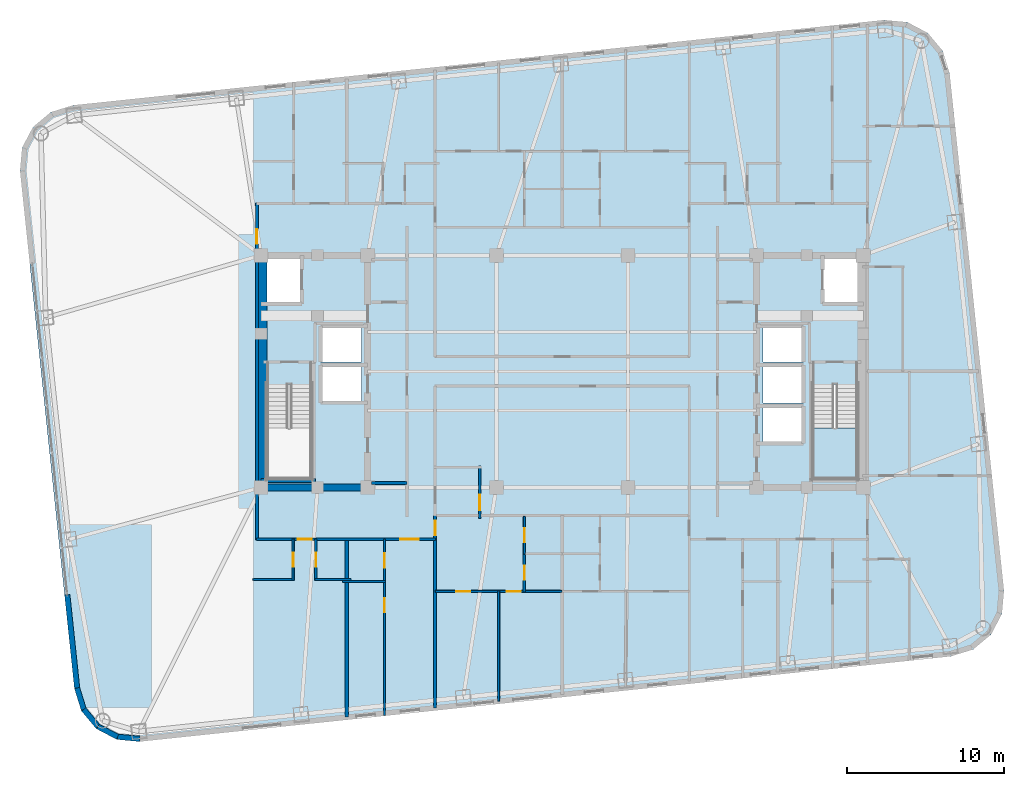
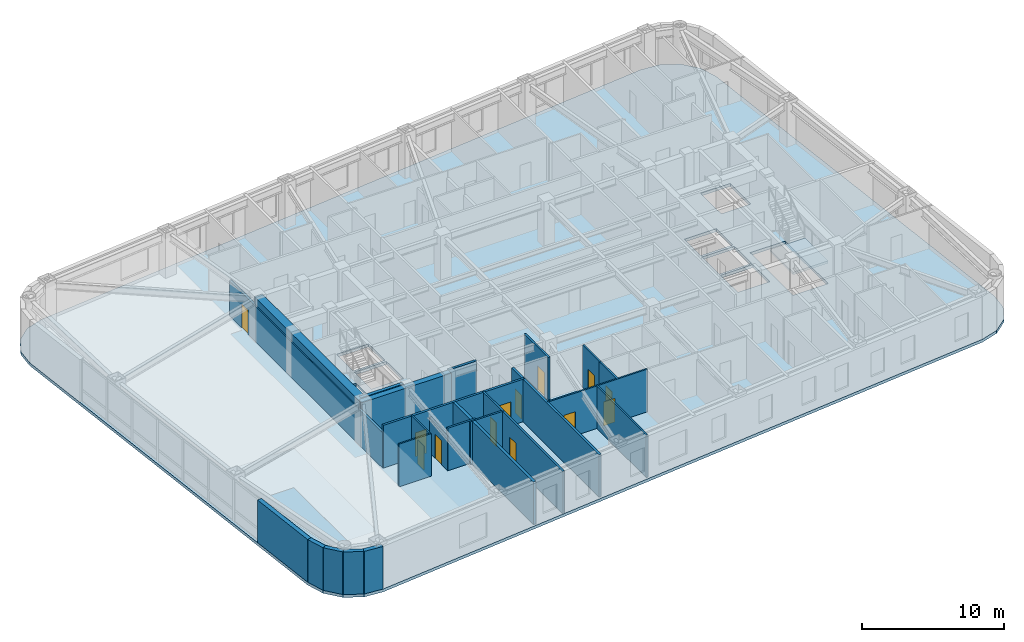
# One storey, part 6 of 15: 25 walls, 13 doors, 2 slabs, 13 openings, 1 element without a shape of its own.
"""IFC4 building model written with IfcOpenShell, lengths in metres."""

from ifc_helpers import new_model, si_unit, direction, frame, frame_2d, origin, place, context, subcontext, project, spatial, polyline, rectangle, outline, extrude, material, layer, layer_set, type_object, element, fill, aggregate, save


model = new_model("IFC4")

# Units and contexts
model_context = context("Model", 3, precision=1e-05, world=origin(), true_north=direction((0.0, 1.0)))
body_context = subcontext(model_context, "Body", "Model", "MODEL_VIEW")
ifc_project = project(units=[si_unit("LENGTHUNIT", "METRE"), si_unit("AREAUNIT", "SQUARE_METRE"), si_unit("VOLUMEUNIT", "CUBIC_METRE"), si_unit("PLANEANGLEUNIT", "RADIAN"), si_unit("MASSUNIT", "GRAM", prefix="KILO")], contexts=[model_context])

# Site, building, storey
site_placement = place(None, origin())
site = spatial("IfcSite", under=ifc_project, at=site_placement, CompositionType="ELEMENT")
building_placement = place(site_placement, origin())
building = spatial("IfcBuilding", under=site, at=building_placement, Name="Voryun Gate Residences", CompositionType="ELEMENT")
storey_placement = place(building_placement, frame((0.0, 0.0, 148.199951171875)))
storey = spatial("IfcBuildingStorey", under=building, at=storey_placement, Name="L36", CompositionType="ELEMENT", Elevation=148.199951171875)

# Slab
ifc_material_1 = material(Name="Concrete C40/50", Category="concrete")
ifc_layer_1 = layer(ifc_material_1, 0.25, Name="SLB_RES_250")
ifc_layer_set_1 = layer_set([ifc_layer_1], Name="Concrete C40/50")
slab_type_1 = type_object("IfcSlabType", Name="SLB_RES_250", PredefinedType="FLOOR", material=ifc_layer_set_1)
slab_1_placement = place(storey_placement, frame((0.0, 0.0, -0.25)))
element("IfcSlab", 1, at=slab_1_placement, inside=storey, type_object=slab_type_1, Name="L36 Structural Floor Slab", PredefinedType="FLOOR", context=body_context, shape_type="SweptSolid", body=[
    extrude(outline(polyline([(-26.92529296875, -23.60595703125), (-28.401611328125, -23.47021484375), (-29.7138671875, -22.780029296875), (-30.661865234375, -21.639892578125), (-31.1015625, -20.22412109375), (-34.572021484375, 12.794189453125), (-34.436279296875, 14.2705078125), (-33.745849609375, 15.582763671875), (-32.60595703125, 16.53076171875), (-31.18994140625, 16.970458984375), (20.525146484375, 22.406005859375), (22.001708984375, 22.270263671875), (23.313720703125, 21.580078125), (24.261962890625, 20.43994140625), (24.70166015625, 19.02392578125), (28.171875, -13.994140625), (28.036376953125, -15.470458984375), (27.345947265625, -16.78271484375), (26.2060546875, -17.730712890625), (24.7900390625, -18.17041015625), (-26.92529296875, -23.60595703125)]), holes=[polyline([(-15.97509765625, -6.85009765625), (-15.97509765625, -0.840087890625), (-18.824951171875, -0.840087890625), (-18.824951171875, -6.85009765625), (-15.97509765625, -6.85009765625)]), polyline([(18.824951171875, -6.85009765625), (18.824951171875, -0.840087890625), (15.97509765625, -0.840087890625), (15.97509765625, -6.85009765625), (18.824951171875, -6.85009765625)]), polyline([(15.39990234375, -2.199951171875), (12.800048828125, -2.199951171875), (12.800048828125, -4.60009765625), (15.39990234375, -4.60009765625), (15.39990234375, -2.199951171875)]), polyline([(-12.800048828125, 0.39990234375), (-15.39990234375, 0.39990234375), (-15.39990234375, -2.0), (-12.800048828125, -2.0), (-12.800048828125, 0.39990234375)]), polyline([(15.39990234375, 0.39990234375), (12.800048828125, 0.39990234375), (12.800048828125, -2.0), (15.39990234375, -2.0), (15.39990234375, 0.39990234375)]), polyline([(-12.800048828125, 2.89990234375), (-15.39990234375, 2.89990234375), (-15.39990234375, 0.60009765625), (-12.800048828125, 0.60009765625), (-12.800048828125, 2.89990234375)]), polyline([(15.39990234375, 2.89990234375), (12.800048828125, 2.89990234375), (12.800048828125, 0.60009765625), (15.39990234375, 0.60009765625), (15.39990234375, 2.89990234375)]), polyline([(-16.60009765625, 4.300048828125), (-16.60009765625, 7.199951171875), (-19.0, 7.199951171875), (-19.0, 4.300048828125), (-16.60009765625, 4.300048828125)]), polyline([(19.0, 4.300048828125), (19.0, 7.199951171875), (16.60009765625, 7.199951171875), (16.60009765625, 4.300048828125), (19.0, 4.300048828125)])]), origin(), (0.0, 0.0, 1.0), 0.25),
])

# Stair, slab
ifc_material_2 = material(Name="Concrete C40/50", Category="concrete")
stair_type = type_object("IfcStairType", Name="STR_CORE_DOGLEG_1350", PredefinedType="HALF_TURN_STAIR", material=ifc_material_2)
stair_placement = place(storey_placement, origin())
stair = element("IfcStair", 2, at=stair_placement, inside=storey, type_object=stair_type, Name="L36 Special Escape Stair ST-E1", PredefinedType="HALF_TURN_STAIR")
ifc_material_3 = material(Name="Concrete C40/50", Category="concrete")
ifc_layer_2 = layer(ifc_material_3, 0.199951171875, Name="SLB_STAIR_LANDING_200")
ifc_layer_set_2 = layer_set([ifc_layer_2], Name="Concrete C40/50")
slab_type_2 = type_object("IfcSlabType", Name="SLB_STAIR_LANDING_200", PredefinedType="LANDING", material=ifc_layer_set_2)
slab_2_placement = place(storey_placement, frame((0.0, 0.0, 1.75)))
slab_2 = element("IfcSlab", 3, at=slab_2_placement, type_object=slab_type_2, Name="ST-E1 landing 1", PredefinedType="LANDING", context=body_context, shape_type="SweptSolid", body=[
    extrude(outline(polyline([(15.97509765625, -3.60009765625), (15.97509765625, -6.85009765625), (18.824951171875, -6.85009765625), (18.824951171875, -3.60009765625), (15.97509765625, -3.60009765625)])), origin(), (0.0, 0.0, 1.0), 0.199951171875),
])
aggregate(stair, [slab_2])

# Walls
ifc_material_4 = material(Name="Concrete C50/60", Category="concrete")
ifc_layer_3 = layer(ifc_material_4, 0.449951171875, Name="CW_CORE_450")
ifc_layer_set_3 = layer_set([ifc_layer_3], Name="Concrete C50/60")
wall_type_1 = type_object("IfcWallType", Name="CW_CORE_450", PredefinedType="SHEAR", material=ifc_layer_set_3)
wall_1_placement = place(storey_placement, frame((-19.425048828125, -7.39990234375, 0.0), z_axis=(0.0, 0.0, 1.0), x_axis=(1.0, 0.0, 0.0)))
element("IfcWall", 4, at=wall_1_placement, inside=storey, type_object=wall_type_1, Name="L36 Core shear wall CW-L36-WS", PredefinedType="SHEAR", context=body_context, shape_type="SweptSolid", body=[
    extrude(rectangle(XDim=7.25, YDim=0.449951171875, at=frame_2d((3.625, 0.0))), origin(), (0.0, 0.0, 1.0), 3.650146484375),
])
ifc_material_5 = material(Name="Concrete C60/75", Category="concrete")
ifc_layer_4 = layer(ifc_material_5, 0.64990234375, Name="CW_CORE_650")
ifc_layer_set_4 = layer_set([ifc_layer_4], Name="Concrete C60/75")
wall_type_2 = type_object("IfcWallType", Name="CW_CORE_650", PredefinedType="SHEAR", material=ifc_layer_set_4)
wall_2_placement = place(storey_placement, frame((-19.14501953125, -7.39990234375, 0.0), z_axis=(0.0, 0.0, 1.0), x_axis=(0.0, 1.0, 0.0)))
element("IfcWall", 5, at=wall_2_placement, inside=storey, type_object=wall_type_2, Name="L36 Core shear wall CW-L36-WW", PredefinedType="SHEAR", context=body_context, shape_type="SweptSolid", body=[
    extrude(rectangle(XDim=14.7998046875, YDim=0.64990234375, at=frame_2d((7.39990234375, 0.0))), origin(), (0.0, 0.0, 1.0), 3.650146484375),
])
ifc_material_6 = material(Name="Gypsum acoustic fireboard")
ifc_layer_5 = layer(ifc_material_6, 0.179931640625, Name="W_CORR_RATED_180")
ifc_layer_set_5 = layer_set([ifc_layer_5], Name="Gypsum acoustic fireboard")
wall_type_3 = type_object("IfcWallType", Name="W_CORR_RATED_180", PredefinedType="PARTITIONING", material=ifc_layer_set_5)
wall_3_placement = place(storey_placement, frame((-12.14990234375, -7.1201171875, 0.0), z_axis=(0.0, 0.0, 1.0), x_axis=(1.0, 0.0, 0.0)))
element("IfcWall", 6, at=wall_3_placement, inside=storey, type_object=wall_type_3, Name="Partition wall WP-L36-PLBS-W", PredefinedType="PARTITIONING", context=body_context, shape_type="SweptSolid", body=[
    extrude(rectangle(XDim=2.27001953125, YDim=0.179931640625, at=frame_2d((1.135009765625, 0.0))), origin(), (0.0, 0.0, 1.0), 3.650146484375),
])

# Wall, openings, doors
wall_4_placement = place(storey_placement, frame((-19.5, -10.699951171875, 0.0), z_axis=(0.0, 0.0, 1.0), x_axis=(1.0, 0.0, 0.0)))
wall_4 = element("IfcWall", 7, at=wall_4_placement, inside=storey, type_object=wall_type_3, Name="Partition wall WP-L36-SCORR-W", PredefinedType="PARTITIONING", context=body_context, shape_type="SweptSolid", body=[
    extrude(rectangle(XDim=11.419921875, YDim=0.179931640625, at=frame_2d((5.7099609375, 0.0))), origin(), (0.0, 0.0, 1.0), 3.650146484375),
])
opening_1_placement = place(wall_4_placement, frame((2.623046875, 0.0, 0.0)))
opening_1 = element("IfcOpeningElement", 8, at=opening_1_placement, cuts=wall_4, Name="Opening D-INT-2", PredefinedType="OPENING", context=body_context, shape_type="SweptSolid", body=[
    extrude(rectangle(XDim=0.89990234375, YDim=2.050048828125, at=frame_2d((0.449951171875, 1.02490234375))), frame((0.0, 0.099853515625, 0.0), z_axis=(0.0, -1.0, 0.0), x_axis=(1.0, 0.0, 0.0)), (0.0, 0.0, 1.0), 0.199951171875),
])
opening_2_placement = place(wall_4_placement, frame((9.189208984375, 0.0, 0.0)))
opening_2 = element("IfcOpeningElement", 9, at=opening_2_placement, cuts=wall_4, Name="Opening D-UNIT-1", PredefinedType="OPENING", context=body_context, shape_type="SweptSolid", body=[
    extrude(rectangle(XDim=1.14990234375, YDim=2.050048828125, at=frame_2d((0.574951171875, 1.02490234375))), frame((0.0, 0.099853515625, 0.0), z_axis=(0.0, -1.0, 0.0), x_axis=(1.0, 0.0, 0.0)), (0.0, 0.0, 1.0), 0.199951171875),
])
ifc_material_7 = material(Name="Architectural oak veneer")
door_type_1 = type_object("IfcDoorType", Name="DR_INT_BATH_900", OperationType="NOTDEFINED", PredefinedType="DOOR", material=ifc_material_7)
door_1_placement = place(opening_1_placement, origin())
door_1 = element("IfcDoor", 10, at=door_1_placement, inside=storey, type_object=door_type_1, Name="Door DR-L36-SENT-1", OperationType="SINGLE_SWING_RIGHT", OverallHeight=2.050048828125, OverallWidth=0.89990234375, PredefinedType="DOOR", context=body_context, shape_type="SweptSolid", body=[
    extrude(rectangle(XDim=0.89990234375, YDim=2.050048828125, at=frame_2d((0.449951171875, 1.02490234375))), frame((0.0, 0.02490234375, 0.0), z_axis=(0.0, -1.0, 0.0), x_axis=(1.0, 0.0, 0.0)), (0.0, 0.0, 1.0), 0.050048828125),
])
fill(opening_1, door_1)
ifc_material_8 = material(Name="Armoured timber-clad fire door", Category="wood")
door_type_2 = type_object("IfcDoorType", Name="DR_UNIT_ENTRY_1150", OperationType="NOTDEFINED", PredefinedType="DOOR", material=ifc_material_8)
door_2_placement = place(opening_2_placement, origin())
door_2 = element("IfcDoor", 11, at=door_2_placement, inside=storey, type_object=door_type_2, Name="Door DR-L36-SENT-2", OperationType="SINGLE_SWING_LEFT", OverallHeight=2.050048828125, OverallWidth=1.14990234375, PredefinedType="DOOR", context=body_context, shape_type="SweptSolid", body=[
    extrude(rectangle(XDim=1.14990234375, YDim=2.050048828125, at=frame_2d((0.574951171875, 1.02490234375))), frame((0.0, 0.02490234375, 0.0), z_axis=(0.0, -1.0, 0.0), x_axis=(1.0, 0.0, 0.0)), (0.0, 0.0, 1.0), 0.050048828125),
])
fill(opening_2, door_2)

# Wall, opening, door
wall_5_placement = place(storey_placement, frame((-8.10009765625, -21.456298828125, 0.0), z_axis=(0.0, 0.0, 1.0), x_axis=(0.0, 1.0, 0.0)))
wall_5 = element("IfcWall", 12, at=wall_5_placement, inside=storey, type_object=wall_type_3, Name="Partition wall WP-L36-SZV-1", PredefinedType="PARTITIONING", context=body_context, shape_type="SweptSolid", body=[
    extrude(rectangle(XDim=12.266357421875, YDim=0.179931640625, at=frame_2d((6.13330078125, 0.0))), origin(), (0.0, 0.0, 1.0), 3.650146484375),
])
opening_3_placement = place(wall_5_placement, frame((11.0166015625, 0.0, 0.0)))
opening_3 = element("IfcOpeningElement", 13, at=opening_3_placement, cuts=wall_5, Name="Opening D-INT-2", PredefinedType="OPENING", context=body_context, shape_type="SweptSolid", body=[
    extrude(rectangle(XDim=0.89990234375, YDim=2.050048828125, at=frame_2d((0.449951171875, 1.02490234375))), frame((0.0, 0.099853515625, 0.0), z_axis=(0.0, -1.0, 0.0), x_axis=(1.0, 0.0, 0.0)), (0.0, 0.0, 1.0), 0.199951171875),
])
door_3_placement = place(opening_3_placement, origin())
door_3 = element("IfcDoor", 14, at=door_3_placement, inside=storey, type_object=door_type_1, Name="Door DR-L36-SZENT-1", OperationType="SINGLE_SWING_LEFT", OverallHeight=2.050048828125, OverallWidth=0.89990234375, PredefinedType="DOOR", context=body_context, shape_type="SweptSolid", body=[
    extrude(rectangle(XDim=0.89990234375, YDim=2.050048828125, at=frame_2d((0.449951171875, 1.02490234375))), frame((0.0, 0.02490234375, 0.0), z_axis=(0.0, -1.0, 0.0), x_axis=(1.0, 0.0, 0.0)), (0.0, 0.0, 1.0), 0.050048828125),
])
fill(opening_3, door_3)

wall_6_placement = place(storey_placement, frame((-19.469970703125, -10.75, 0.0), z_axis=(0.0, 0.0, 1.0), x_axis=(0.0, 1.0, 0.0)))
wall_6 = element("IfcWall", 15, at=wall_6_placement, inside=storey, type_object=wall_type_3, Name="Partition wall WP-L36-WSG", PredefinedType="PARTITIONING", context=body_context, shape_type="SweptSolid", body=[
    extrude(rectangle(XDim=21.5, YDim=0.179931640625, at=frame_2d((10.75, 0.0))), origin(), (0.0, 0.0, 1.0), 3.0400390625),
])
opening_4_placement = place(wall_6_placement, frame((18.875, 0.0, 0.0)))
opening_4 = element("IfcOpeningElement", 16, at=opening_4_placement, cuts=wall_6, Name="Opening D-INT-1", PredefinedType="OPENING", context=body_context, shape_type="SweptSolid", body=[
    extrude(rectangle(XDim=0.949951171875, YDim=2.050048828125, at=frame_2d((0.47509765625, 1.02490234375))), frame((0.0, 0.099853515625, 0.0), z_axis=(0.0, -1.0, 0.0), x_axis=(1.0, 0.0, 0.0)), (0.0, 0.0, 1.0), 0.199951171875),
])
ifc_material_9 = material(Name="Architectural oak veneer")
door_type_3 = type_object("IfcDoorType", Name="DR_INT_ROOM_950", OperationType="NOTDEFINED", PredefinedType="DOOR", material=ifc_material_9)
door_4_placement = place(opening_4_placement, origin())
door_4 = element("IfcDoor", 17, at=door_4_placement, inside=storey, type_object=door_type_3, Name="Door DR-L36-WSG", OperationType="SINGLE_SWING_LEFT", OverallHeight=2.050048828125, OverallWidth=0.949951171875, PredefinedType="DOOR", context=body_context, shape_type="SweptSolid", body=[
    extrude(rectangle(XDim=0.949951171875, YDim=2.050048828125, at=frame_2d((0.47509765625, 1.02490234375))), frame((0.0, 0.02490234375, 0.0), z_axis=(0.0, -1.0, 0.0), x_axis=(1.0, 0.0, 0.0)), (0.0, 0.0, 1.0), 0.050048828125),
])
fill(opening_4, door_4)

# Walls
ifc_material_10 = material(Name="Charcoal terracotta masonry", Category="masonry")
ifc_layer_6 = layer(ifc_material_10, 0.340087890625, Name="W_EXT_TERRACOTTA_340")
ifc_layer_set_6 = layer_set([ifc_layer_6], Name="Charcoal terracotta masonry")
wall_type_4 = type_object("IfcWallType", Name="W_EXT_TERRACOTTA_340", PredefinedType="ELEMENTEDWALL", material=ifc_layer_set_6)
wall_7_placement = place(storey_placement, frame((-26.92626953125, -23.435302734375, 0.0), z_axis=(0.0, 0.0, 1.0), x_axis=(-0.995800460351, 0.091550222087, 0.0)))
element("IfcWall", 18, at=wall_7_placement, inside=storey, type_object=wall_type_4, Name="Exterior wall WEXT-L36-02", PredefinedType="ELEMENTEDWALL", context=body_context, shape_type="SweptSolid", body=[
    extrude(rectangle(XDim=1.43212890625, YDim=0.340087890625, at=frame_2d((0.716064453125, 0.0))), origin(), (0.0, 0.0, 1.0), 3.650146484375),
])
wall_8_placement = place(storey_placement, frame((-28.352294921875, -23.30419921875, 0.0), z_axis=(0.0, 0.0, 1.0), x_axis=(-0.884989312682, 0.465611336243, 0.0)))
element("IfcWall", 19, at=wall_8_placement, inside=storey, type_object=wall_type_4, Name="Exterior wall WEXT-L36-03", PredefinedType="ELEMENTEDWALL", context=body_context, shape_type="SweptSolid", body=[
    extrude(rectangle(XDim=1.415283203125, YDim=0.340087890625, at=frame_2d((0.70751953125, 0.0))), origin(), (0.0, 0.0, 1.0), 3.650146484375),
])
wall_9_placement = place(storey_placement, frame((-29.604736328125, -22.645263671875, 0.0), z_axis=(0.0, 0.0, 1.0), x_axis=(-0.639437361921, 0.768843196093, 0.0)))
element("IfcWall", 20, at=wall_9_placement, inside=storey, type_object=wall_type_4, Name="Exterior wall WEXT-L36-04", PredefinedType="ELEMENTEDWALL", context=body_context, shape_type="SweptSolid", body=[
    extrude(rectangle(XDim=1.4150390625, YDim=0.340087890625, at=frame_2d((0.70751953125, 0.0))), origin(), (0.0, 0.0, 1.0), 3.650146484375),
])
wall_10_placement = place(storey_placement, frame((-30.509521484375, -21.557373046875, 0.0), z_axis=(0.0, 0.0, 1.0), x_axis=(-0.296624409546, 0.9549942197, 0.0)))
element("IfcWall", 21, at=wall_10_placement, inside=storey, type_object=wall_type_4, Name="Exterior wall WEXT-L36-05", PredefinedType="ELEMENTEDWALL", context=body_context, shape_type="SweptSolid", body=[
    extrude(rectangle(XDim=1.43212890625, YDim=0.340087890625, at=frame_2d((0.716064453125, 0.0))), origin(), (0.0, 0.0, 1.0), 3.650146484375),
])
wall_11_placement = place(storey_placement, frame((-30.934326171875, -20.189697265625, 0.0), z_axis=(0.0, 0.0, 1.0), x_axis=(-0.104523002937, 0.994522469257, 0.0)))
element("IfcWall", 22, at=wall_11_placement, inside=storey, type_object=wall_type_4, Name="Exterior wall WEXT-L36-06A", PredefinedType="ELEMENTEDWALL", context=body_context, shape_type="SweptSolid", body=[
    extrude(rectangle(XDim=5.97021484375, YDim=0.340087890625, at=frame_2d((2.985107421875, 0.0))), origin(), (0.0, 0.0, 1.0), 3.650146484375),
])
ifc_material_11 = material(Name="Concrete C40/50", Category="concrete")
ifc_layer_7 = layer(ifc_material_11, 0.219970703125, Name="W_PARTY_ACOUSTIC_220")
ifc_layer_set_7 = layer_set([ifc_layer_7], Name="Concrete C40/50")
wall_type_5 = type_object("IfcWallType", Name="W_PARTY_ACOUSTIC_220", PredefinedType="PARTITIONING", material=ifc_layer_set_7)
wall_12_placement = place(storey_placement, frame((-13.739990234375, -22.04931640625, 0.0), z_axis=(0.0, 0.0, 1.0), x_axis=(0.0, 1.0, 0.0)))
element("IfcWall", 23, at=wall_12_placement, inside=storey, type_object=wall_type_5, Name="Partition wall WP-L36-SPTY-1", PredefinedType="PARTITIONING", context=body_context, shape_type="SweptSolid", body=[
    extrude(rectangle(XDim=11.42919921875, YDim=0.219970703125, at=frame_2d((5.714599609375, 0.0))), origin(), (0.0, 0.0, 1.0), 3.650146484375),
])
ifc_material_12 = material(Name="Concrete C50/60", Category="concrete")
ifc_layer_8 = layer(ifc_material_12, 0.25, Name="W_SHAFT_RC250")
ifc_layer_set_8 = layer_set([ifc_layer_8], Name="Concrete C50/60")
wall_type_6 = type_object("IfcWallType", Name="W_SHAFT_RC250", PredefinedType="SOLIDWALL", material=ifc_layer_set_8)
wall_13_placement = place(storey_placement, frame((-19.199951171875, -6.965087890625, 0.0), z_axis=(0.0, 0.0, 1.0), x_axis=(1.0, 0.0, 0.0)))
element("IfcWall", 24, at=wall_13_placement, inside=storey, type_object=wall_type_6, Name="L36 Stair shaft structural wall W-STS", PredefinedType="SOLIDWALL", context=body_context, shape_type="SweptSolid", body=[
    extrude(rectangle(XDim=3.4599609375, YDim=0.25, at=frame_2d((1.72998046875, 0.0))), origin(), (0.0, 0.0, 1.0), 3.650146484375),
])

# Wall, opening, door
ifc_material_13 = material(Name="Gypsum acoustic partition")
ifc_layer_9 = layer(ifc_material_13, 0.125, Name="W_UNIT_PART_125")
ifc_layer_set_9 = layer_set([ifc_layer_9], Name="Gypsum acoustic partition")
wall_type_7 = type_object("IfcWallType", Name="W_UNIT_PART_125", PredefinedType="PARTITIONING", material=ifc_layer_set_9)
wall_14_placement = place(storey_placement, frame((-17.14990234375, -13.330078125, 0.0), z_axis=(0.0, 0.0, 1.0), x_axis=(0.0, 1.0, 0.0)))
wall_14 = element("IfcWall", 25, at=wall_14_placement, inside=storey, type_object=wall_type_7, Name="Partition wall WP-L36-S1-CVK", PredefinedType="PARTITIONING", context=body_context, shape_type="SweptSolid", body=[
    extrude(rectangle(XDim=2.650146484375, YDim=0.125, at=frame_2d((1.3251953125, 0.0))), origin(), (0.0, 0.0, 1.0), 3.650146484375),
])
opening_5_placement = place(wall_14_placement, frame((0.875, 0.0, 0.0)))
opening_5 = element("IfcOpeningElement", 26, at=opening_5_placement, cuts=wall_14, Name="Opening D-INT-2", PredefinedType="OPENING", context=body_context, shape_type="SweptSolid", body=[
    extrude(rectangle(XDim=0.89990234375, YDim=2.050048828125, at=frame_2d((0.449951171875, 1.02490234375))), frame((0.0, 0.072509765625, 0.0), z_axis=(0.0, -1.0, 0.0), x_axis=(1.0, 0.0, 0.0)), (0.0, 0.0, 1.0), 0.14501953125),
])
door_5_placement = place(opening_5_placement, origin())
door_5 = element("IfcDoor", 27, at=door_5_placement, inside=storey, type_object=door_type_1, Name="Door DR-L36-S1-DK", OperationType="SINGLE_SWING_LEFT", OverallHeight=2.050048828125, OverallWidth=0.89990234375, PredefinedType="DOOR", context=body_context, shape_type="SweptSolid", body=[
    extrude(rectangle(XDim=0.89990234375, YDim=2.050048828125, at=frame_2d((0.449951171875, 1.02490234375))), frame((0.0, 0.02490234375, 0.0), z_axis=(0.0, -1.0, 0.0), x_axis=(1.0, 0.0, 0.0)), (0.0, 0.0, 1.0), 0.050048828125),
])
fill(opening_5, door_5)

# Wall
wall_15_placement = place(storey_placement, frame((-19.719970703125, -13.27001953125, 0.0), z_axis=(0.0, 0.0, 1.0), x_axis=(1.0, 0.0, 0.0)))
element("IfcWall", 28, at=wall_15_placement, inside=storey, type_object=wall_type_7, Name="Partition wall WP-L36-S1-CHK", PredefinedType="PARTITIONING", context=body_context, shape_type="SweptSolid", body=[
    extrude(rectangle(XDim=2.6298828125, YDim=0.125, at=frame_2d((1.31494140625, 0.0))), origin(), (0.0, 0.0, 1.0), 3.650146484375),
])

# Wall, openings, doors
wall_16_placement = place(storey_placement, frame((-8.080078125, -14.030029296875, 0.0), z_axis=(0.0, 0.0, 1.0), x_axis=(1.0, 0.0, 0.0)))
wall_16 = element("IfcWall", 29, at=wall_16_placement, inside=storey, type_object=wall_type_7, Name="Partition wall WP-L36-SC1-HZ", PredefinedType="PARTITIONING", context=body_context, shape_type="SweptSolid", body=[
    extrude(rectangle(XDim=8.06005859375, YDim=0.125, at=frame_2d((4.030029296875, 0.0))), origin(), (0.0, 0.0, 1.0), 3.650146484375),
])
opening_6_placement = place(wall_16_placement, frame((1.3232421875, 0.0, 0.0)))
opening_6 = element("IfcOpeningElement", 30, at=opening_6_placement, cuts=wall_16, Name="Opening D-INT-2", PredefinedType="OPENING", context=body_context, shape_type="SweptSolid", body=[
    extrude(rectangle(XDim=0.89990234375, YDim=2.050048828125, at=frame_2d((0.449951171875, 1.02490234375))), frame((0.0, 0.072509765625, 0.0), z_axis=(0.0, -1.0, 0.0), x_axis=(1.0, 0.0, 0.0)), (0.0, 0.0, 1.0), 0.14501953125),
])
opening_7_placement = place(wall_16_placement, frame((4.547119140625, 0.0, 0.0)))
opening_7 = element("IfcOpeningElement", 31, at=opening_7_placement, cuts=wall_16, Name="Opening D-INT-2", PredefinedType="OPENING", context=body_context, shape_type="SweptSolid", body=[
    extrude(rectangle(XDim=0.89990234375, YDim=2.050048828125, at=frame_2d((0.449951171875, 1.02490234375))), frame((0.0, 0.072509765625, 0.0), z_axis=(0.0, -1.0, 0.0), x_axis=(1.0, 0.0, 0.0)), (0.0, 0.0, 1.0), 0.14501953125),
])
door_6_placement = place(opening_6_placement, origin())
door_6 = element("IfcDoor", 32, at=door_6_placement, inside=storey, type_object=door_type_1, Name="Door DR-L36-SC1-DMB", OperationType="SINGLE_SWING_LEFT", OverallHeight=2.050048828125, OverallWidth=0.89990234375, PredefinedType="DOOR", context=body_context, shape_type="SweptSolid", body=[
    extrude(rectangle(XDim=0.89990234375, YDim=2.050048828125, at=frame_2d((0.449951171875, 1.02490234375))), frame((0.0, 0.02490234375, 0.0), z_axis=(0.0, -1.0, 0.0), x_axis=(1.0, 0.0, 0.0)), (0.0, 0.0, 1.0), 0.050048828125),
])
fill(opening_6, door_6)
door_7_placement = place(opening_7_placement, origin())
door_7 = element("IfcDoor", 33, at=door_7_placement, inside=storey, type_object=door_type_1, Name="Door DR-L36-SC1-DBD2", OperationType="SINGLE_SWING_RIGHT", OverallHeight=2.050048828125, OverallWidth=0.89990234375, PredefinedType="DOOR", context=body_context, shape_type="SweptSolid", body=[
    extrude(rectangle(XDim=0.89990234375, YDim=2.050048828125, at=frame_2d((0.449951171875, 1.02490234375))), frame((0.0, 0.02490234375, 0.0), z_axis=(0.0, -1.0, 0.0), x_axis=(1.0, 0.0, 0.0)), (0.0, 0.0, 1.0), 0.050048828125),
])
fill(opening_7, door_7)

# Wall, opening, door
wall_17_placement = place(storey_placement, frame((-2.409912109375, -11.659912109375, 0.0), z_axis=(0.0, 0.0, 1.0), x_axis=(0.0, 1.0, 0.0)))
wall_17 = element("IfcWall", 34, at=wall_17_placement, inside=storey, type_object=wall_type_7, Name="Partition wall WP-L36-SC1-VK1", PredefinedType="PARTITIONING", context=body_context, shape_type="SweptSolid", body=[
    extrude(rectangle(XDim=2.409912109375, YDim=0.125, at=frame_2d((1.205078125, 0.0))), origin(), (0.0, 0.0, 1.0), 3.650146484375),
])
opening_8_placement = place(wall_17_placement, frame((0.7548828125, 0.0, 0.0)))
opening_8 = element("IfcOpeningElement", 35, at=opening_8_placement, cuts=wall_17, Name="Opening D-INT-2", PredefinedType="OPENING", context=body_context, shape_type="SweptSolid", body=[
    extrude(rectangle(XDim=0.89990234375, YDim=2.050048828125, at=frame_2d((0.449951171875, 1.02490234375))), frame((0.0, 0.072509765625, 0.0), z_axis=(0.0, -1.0, 0.0), x_axis=(1.0, 0.0, 0.0)), (0.0, 0.0, 1.0), 0.14501953125),
])
door_8_placement = place(opening_8_placement, origin())
door_8 = element("IfcDoor", 36, at=door_8_placement, inside=storey, type_object=door_type_1, Name="Door DR-L36-SC1-DK", OperationType="SINGLE_SWING_LEFT", OverallHeight=2.050048828125, OverallWidth=0.89990234375, PredefinedType="DOOR", context=body_context, shape_type="SweptSolid", body=[
    extrude(rectangle(XDim=0.89990234375, YDim=2.050048828125, at=frame_2d((0.449951171875, 1.02490234375))), frame((0.0, 0.02490234375, 0.0), z_axis=(0.0, -1.0, 0.0), x_axis=(1.0, 0.0, 0.0)), (0.0, 0.0, 1.0), 0.050048828125),
])
fill(opening_8, door_8)

# Wall
wall_18_placement = place(storey_placement, frame((-4.050048828125, -21.03076171875, 0.0), z_axis=(0.0, 0.0, 1.0), x_axis=(0.0, 1.0, 0.0)))
element("IfcWall", 37, at=wall_18_placement, inside=storey, type_object=wall_type_7, Name="Partition wall WP-L36-SC1-VBD", PredefinedType="PARTITIONING", context=body_context, shape_type="SweptSolid", body=[
    extrude(rectangle(XDim=7.040771484375, YDim=0.125, at=frame_2d((3.5205078125, 0.0))), origin(), (0.0, 0.0, 1.0), 3.650146484375),
])

# Wall, opening, door
ifc_material_14 = material(Name="Gypsum moisture-resistant partition")
ifc_layer_10 = layer(ifc_material_14, 0.14990234375, Name="W_WET_PLUMB_150")
ifc_layer_set_10 = layer_set([ifc_layer_10], Name="Gypsum moisture-resistant partition")
wall_type_8 = type_object("IfcWallType", Name="W_WET_PLUMB_150", PredefinedType="PLUMBINGWALL", material=ifc_layer_set_10)
wall_19_placement = place(storey_placement, frame((-5.260009765625, -9.3701171875, 0.0), z_axis=(0.0, 0.0, 1.0), x_axis=(0.0, 1.0, 0.0)))
wall_19 = element("IfcWall", 38, at=wall_19_placement, inside=storey, type_object=wall_type_8, Name="Partition wall WP-L36-CMWCX", PredefinedType="PLUMBINGWALL", context=body_context, shape_type="SweptSolid", body=[
    extrude(rectangle(XDim=3.35009765625, YDim=0.14990234375, at=frame_2d((1.675048828125, 0.0))), origin(), (0.0, 0.0, 1.0), 3.650146484375),
])
opening_9_placement = place(wall_19_placement, frame((0.514892578125, 0.0, 0.0)))
opening_9 = element("IfcOpeningElement", 39, at=opening_9_placement, cuts=wall_19, Name="Opening D-AWC-1", PredefinedType="OPENING", context=body_context, shape_type="SweptSolid", body=[
    extrude(rectangle(XDim=1.0, YDim=2.050048828125, at=frame_2d((0.5, 1.02490234375))), frame((0.0, 0.0849609375, 0.0), z_axis=(0.0, -1.0, 0.0), x_axis=(1.0, 0.0, 0.0)), (0.0, 0.0, 1.0), 0.169921875),
])
ifc_material_15 = material(Name="Architectural oak veneer")
door_type_4 = type_object("IfcDoorType", Name="DR_ACC_WC_1000", OperationType="NOTDEFINED", PredefinedType="DOOR", material=ifc_material_15)
door_9_placement = place(opening_9_placement, origin())
door_9 = element("IfcDoor", 40, at=door_9_placement, inside=storey, type_object=door_type_4, Name="Door DR-L36-CMWC", OperationType="SINGLE_SWING_LEFT", OverallHeight=2.050048828125, OverallWidth=1.0, PredefinedType="DOOR", context=body_context, shape_type="SweptSolid", body=[
    extrude(rectangle(XDim=1.0, YDim=2.050048828125, at=frame_2d((0.5, 1.02490234375))), frame((0.0, 0.02490234375, 0.0), z_axis=(0.0, -1.0, 0.0), x_axis=(1.0, 0.0, 0.0)), (0.0, 0.0, 1.0), 0.050048828125),
])
fill(opening_9, door_9)

wall_20_placement = place(storey_placement, frame((-15.7041015625, -13.330078125, 0.0), z_axis=(0.0, 0.0, 1.0), x_axis=(0.0, 1.0, 0.0)))
wall_20 = element("IfcWall", 41, at=wall_20_placement, inside=storey, type_object=wall_type_8, Name="Partition wall WP-L36-S1-CVB", PredefinedType="PLUMBINGWALL", context=body_context, shape_type="SweptSolid", body=[
    extrude(rectangle(XDim=2.650146484375, YDim=0.14990234375, at=frame_2d((1.3251953125, 0.0))), origin(), (0.0, 0.0, 1.0), 3.0400390625),
])
opening_10_placement = place(wall_20_placement, frame((0.875, 0.0, 0.0)))
opening_10 = element("IfcOpeningElement", 42, at=opening_10_placement, cuts=wall_20, Name="Opening D-INT-2", PredefinedType="OPENING", context=body_context, shape_type="SweptSolid", body=[
    extrude(rectangle(XDim=0.89990234375, YDim=2.050048828125, at=frame_2d((0.449951171875, 1.02490234375))), frame((0.0, 0.0849609375, 0.0), z_axis=(0.0, -1.0, 0.0), x_axis=(1.0, 0.0, 0.0)), (0.0, 0.0, 1.0), 0.169921875),
])
door_10_placement = place(opening_10_placement, origin())
door_10 = element("IfcDoor", 43, at=door_10_placement, inside=storey, type_object=door_type_1, Name="Door DR-L36-S1-DB", OperationType="SINGLE_SWING_RIGHT", OverallHeight=2.050048828125, OverallWidth=0.89990234375, PredefinedType="DOOR", context=body_context, shape_type="SweptSolid", body=[
    extrude(rectangle(XDim=0.89990234375, YDim=2.050048828125, at=frame_2d((0.449951171875, 1.02490234375))), frame((0.0, 0.02490234375, 0.0), z_axis=(0.0, -1.0, 0.0), x_axis=(1.0, 0.0, 0.0)), (0.0, 0.0, 1.0), 0.050048828125),
])
fill(opening_10, door_10)

# Walls
wall_21_placement = place(storey_placement, frame((-15.763916015625, -13.27001953125, 0.0), z_axis=(0.0, 0.0, 1.0), x_axis=(1.0, 0.0, 0.0)))
element("IfcWall", 44, at=wall_21_placement, inside=storey, type_object=wall_type_8, Name="Partition wall WP-L36-S1-CHB", PredefinedType="PLUMBINGWALL", context=body_context, shape_type="SweptSolid", body=[
    extrude(rectangle(XDim=2.283935546875, YDim=0.14990234375, at=frame_2d((1.14208984375, 0.0))), origin(), (0.0, 0.0, 1.0), 3.650146484375),
])
wall_22_placement = place(storey_placement, frame((-14.0, -13.39990234375, 0.0), z_axis=(0.0, 0.0, 1.0), x_axis=(1.0, 0.0, 0.0)))
element("IfcWall", 45, at=wall_22_placement, inside=storey, type_object=wall_type_8, Name="Partition wall WP-L36-S2-SKB", PredefinedType="PLUMBINGWALL", context=body_context, shape_type="SweptSolid", body=[
    extrude(rectangle(XDim=2.7490234375, YDim=0.14990234375, at=frame_2d((1.37451171875, 0.0))), origin(), (0.0, 0.0, 1.0), 3.650146484375),
])

# Wall, opening, door
wall_23_placement = place(storey_placement, frame((-11.3310546875, -21.947021484375, 0.0), z_axis=(0.0, 0.0, 1.0), x_axis=(0.0, 1.0, 0.0)))
wall_23 = element("IfcWall", 46, at=wall_23_placement, inside=storey, type_object=wall_type_8, Name="Partition wall WP-L36-S2-SVT1", PredefinedType="PLUMBINGWALL", context=body_context, shape_type="SweptSolid", body=[
    extrude(rectangle(XDim=8.5869140625, YDim=0.14990234375, at=frame_2d((4.29345703125, 0.0))), origin(), (0.0, 0.0, 1.0), 3.650146484375),
])
opening_11_placement = place(wall_23_placement, frame((6.59130859375, 0.0, 0.0)))
opening_11 = element("IfcOpeningElement", 47, at=opening_11_placement, cuts=wall_23, Name="Opening D-INT-2", PredefinedType="OPENING", context=body_context, shape_type="SweptSolid", body=[
    extrude(rectangle(XDim=0.89990234375, YDim=2.050048828125, at=frame_2d((0.449951171875, 1.02490234375))), frame((0.0, 0.0849609375, 0.0), z_axis=(0.0, -1.0, 0.0), x_axis=(1.0, 0.0, 0.0)), (0.0, 0.0, 1.0), 0.169921875),
])
door_11_placement = place(opening_11_placement, origin())
door_11 = element("IfcDoor", 48, at=door_11_placement, inside=storey, type_object=door_type_1, Name="Door DR-L36-S2-DK", OperationType="SINGLE_SWING_LEFT", OverallHeight=2.050048828125, OverallWidth=0.89990234375, PredefinedType="DOOR", context=body_context, shape_type="SweptSolid", body=[
    extrude(rectangle(XDim=0.89990234375, YDim=2.050048828125, at=frame_2d((0.449951171875, 1.02490234375))), frame((0.0, 0.02490234375, 0.0), z_axis=(0.0, -1.0, 0.0), x_axis=(1.0, 0.0, 0.0)), (0.0, 0.0, 1.0), 0.050048828125),
])
fill(opening_11, door_11)

wall_24_placement = place(storey_placement, frame((-11.3310546875, -13.43994140625, 0.0), z_axis=(0.0, 0.0, 1.0), x_axis=(0.0, 1.0, 0.0)))
wall_24 = element("IfcWall", 49, at=wall_24_placement, inside=storey, type_object=wall_type_8, Name="Partition wall WP-L36-S2-SVT2", PredefinedType="PLUMBINGWALL", context=body_context, shape_type="SweptSolid", body=[
    extrude(rectangle(XDim=2.760009765625, YDim=0.14990234375, at=frame_2d((1.3798828125, 0.0))), origin(), (0.0, 0.0, 1.0), 3.650146484375),
])
opening_12_placement = place(wall_24_placement, frame((0.929931640625, 0.0, 0.0)))
opening_12 = element("IfcOpeningElement", 50, at=opening_12_placement, cuts=wall_24, Name="Opening D-INT-2", PredefinedType="OPENING", context=body_context, shape_type="SweptSolid", body=[
    extrude(rectangle(XDim=0.89990234375, YDim=2.050048828125, at=frame_2d((0.449951171875, 1.02490234375))), frame((0.0, 0.0849609375, 0.0), z_axis=(0.0, -1.0, 0.0), x_axis=(1.0, 0.0, 0.0)), (0.0, 0.0, 1.0), 0.169921875),
])
door_12_placement = place(opening_12_placement, origin())
door_12 = element("IfcDoor", 51, at=door_12_placement, inside=storey, type_object=door_type_1, Name="Door DR-L36-S2-DB", OperationType="SINGLE_SWING_RIGHT", OverallHeight=2.050048828125, OverallWidth=0.89990234375, PredefinedType="DOOR", context=body_context, shape_type="SweptSolid", body=[
    extrude(rectangle(XDim=0.89990234375, YDim=2.050048828125, at=frame_2d((0.449951171875, 1.02490234375))), frame((0.0, 0.02490234375, 0.0), z_axis=(0.0, -1.0, 0.0), x_axis=(1.0, 0.0, 0.0)), (0.0, 0.0, 1.0), 0.050048828125),
])
fill(opening_12, door_12)

wall_25_placement = place(storey_placement, frame((-2.409912109375, -14.070068359375, 0.0), z_axis=(0.0, 0.0, 1.0), x_axis=(0.0, 1.0, 0.0)))
wall_25 = element("IfcWall", 52, at=wall_25_placement, inside=storey, type_object=wall_type_8, Name="Partition wall WP-L36-SC1-VK2", PredefinedType="PLUMBINGWALL", context=body_context, shape_type="SweptSolid", body=[
    extrude(rectangle(XDim=2.469970703125, YDim=0.14990234375, at=frame_2d((1.23486328125, 0.0))), origin(), (0.0, 0.0, 1.0), 3.650146484375),
])
opening_13_placement = place(wall_25_placement, frame((0.784912109375, 0.0, 0.0)))
opening_13 = element("IfcOpeningElement", 53, at=opening_13_placement, cuts=wall_25, Name="Opening D-INT-2", PredefinedType="OPENING", context=body_context, shape_type="SweptSolid", body=[
    extrude(rectangle(XDim=0.89990234375, YDim=2.050048828125, at=frame_2d((0.449951171875, 1.02490234375))), frame((0.0, 0.0849609375, 0.0), z_axis=(0.0, -1.0, 0.0), x_axis=(1.0, 0.0, 0.0)), (0.0, 0.0, 1.0), 0.169921875),
])
door_13_placement = place(opening_13_placement, origin())
door_13 = element("IfcDoor", 54, at=door_13_placement, inside=storey, type_object=door_type_1, Name="Door DR-L36-SC1-DB", OperationType="SINGLE_SWING_RIGHT", OverallHeight=2.050048828125, OverallWidth=0.89990234375, PredefinedType="DOOR", context=body_context, shape_type="SweptSolid", body=[
    extrude(rectangle(XDim=0.89990234375, YDim=2.050048828125, at=frame_2d((0.449951171875, 1.02490234375))), frame((0.0, 0.02490234375, 0.0), z_axis=(0.0, -1.0, 0.0), x_axis=(1.0, 0.0, 0.0)), (0.0, 0.0, 1.0), 0.050048828125),
])
fill(opening_13, door_13)

save(model, "model.ifc")
